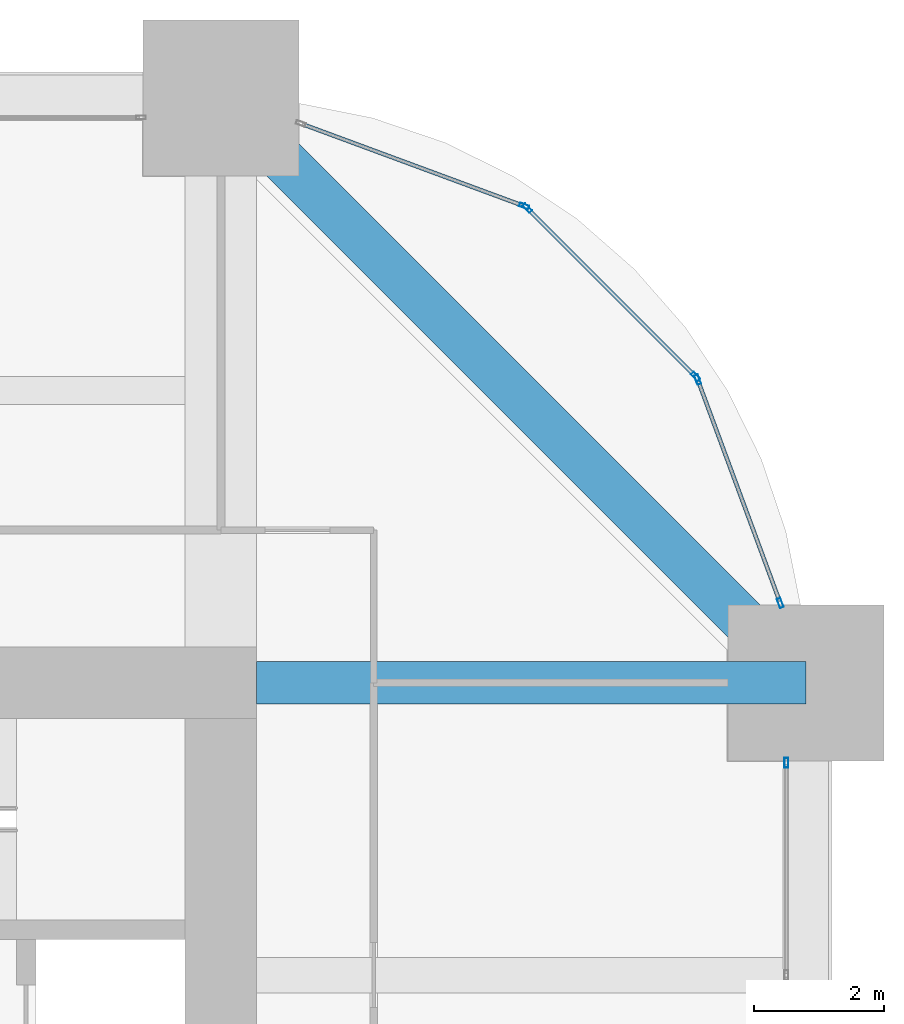
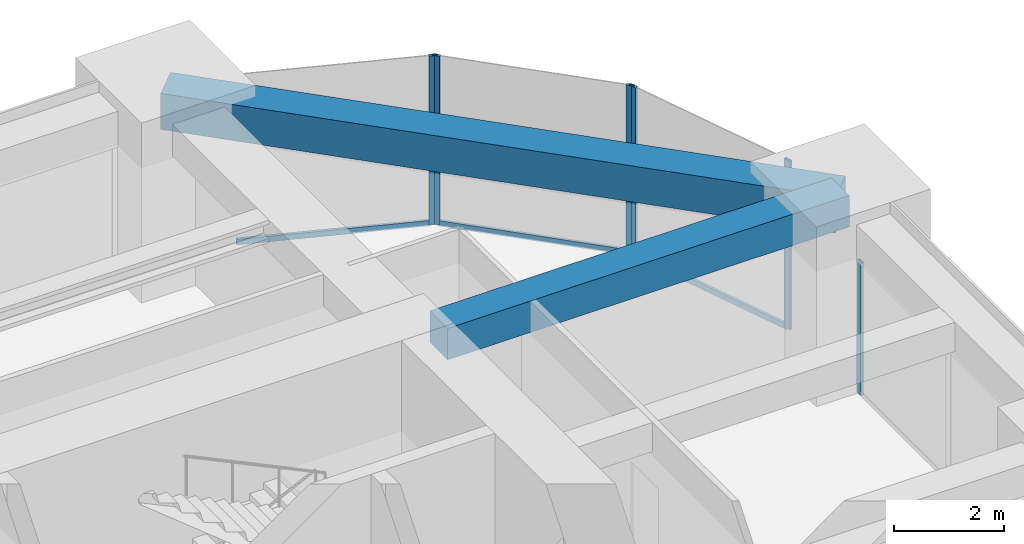
# One storey, part 27 of 32: 9 members, 2 beams, 4 elements without a shape of their own.
"""IFC4 building model written with IfcOpenShell, lengths in metres."""

from ifc_helpers import new_model, si_unit, direction, frame, origin, origin_2d, place, context, subcontext, project, spatial, rectangle, hollow_rectangle, extrude, material, material_profile, profile_set, type_object, element, aggregate, save


model = new_model("IFC4")

# Units and contexts
model_context = context("Model", 3, precision=1e-05, world=origin(), true_north=direction((0.0, 1.0)))
body_context = subcontext(model_context, "Body", "Model", "MODEL_VIEW")
ifc_project = project(units=[si_unit("LENGTHUNIT", "METRE"), si_unit("AREAUNIT", "SQUARE_METRE"), si_unit("VOLUMEUNIT", "CUBIC_METRE"), si_unit("PLANEANGLEUNIT", "RADIAN"), si_unit("MASSUNIT", "GRAM", prefix="KILO")], contexts=[model_context])

# Site, building, storey
site_placement = place(None, origin())
site = spatial("IfcSite", under=ifc_project, at=site_placement, CompositionType="ELEMENT")
building_placement = place(site_placement, origin())
building = spatial("IfcBuilding", under=site, at=building_placement, Name="Zorevar Civic Tower", CompositionType="ELEMENT")
storey_placement = place(building_placement, frame((0.0, 0.0, 186.199951171875)))
storey = spatial("IfcBuildingStorey", under=building, at=storey_placement, Name="L45", CompositionType="ELEMENT", Elevation=186.199951171875)

# Beam
ifc_material_1 = material(Name="Concrete C50/60", Category="concrete")
ifc_material_profile_1 = material_profile(ifc_material_1, rectangle(XDim=0.64990234375, YDim=0.699951171875, at=origin_2d()), Name="RC 650x700")
ifc_profile_set_1 = profile_set([ifc_material_profile_1], Name="Concrete C50/60")
beam_type_1 = type_object("IfcBeamType", Name="Beam RC 650x700", PredefinedType="BEAM", material=ifc_profile_set_1)
beam_1_placement = place(storey_placement, frame((45.550048828125, 36.0, 3.400146484375), z_axis=(1.0, 0.0, 0.0), x_axis=(0.0, 1.0, 0.0)))
element("IfcBeam", 1, at=beam_1_placement, inside=storey, type_object=beam_type_1, Name="Girder L46", PredefinedType="BEAM", context=body_context, shape_type="SweptSolid", body=[
    extrude(rectangle(XDim=0.64990234375, YDim=0.699951171875, at=origin_2d()), origin(), (0.0, 0.0, 1.0), 8.449951171875),
])

# Curtain wall, member
ifc_material_2 = material(Name="Dark grey solar-control glass in black aluminium frame", Category="aluminium")
curtain_wall_type = type_object("IfcCurtainWallType", Name="Curtain wall CW4 high zone", PredefinedType="NOTDEFINED", material=ifc_material_2)
curtain_wall_1_placement = place(storey_placement, origin())
curtain_wall_1 = element("IfcCurtainWall", 2, at=curtain_wall_1_placement, inside=storey, type_object=curtain_wall_type, Name="CW4 L45", PredefinedType="NOTDEFINED")
ifc_material_3 = material(Name="Aluminium, black anodised", Category="aluminium")
ifc_material_profile_2 = material_profile(ifc_material_3, hollow_rectangle(XDim=0.06005859375, YDim=0.14990234375, WallThickness=0.00390625, at=origin_2d()), Name="AL 150x60x4")
ifc_profile_set_2 = profile_set([ifc_material_profile_2], Name="Aluminium, black anodised")
member_type_1 = type_object("IfcMemberType", Name="CW4 mullion AL 150x60x4", PredefinedType="MULLION", material=ifc_profile_set_2)
member_1_placement = place(storey_placement, frame((53.699951171875, 34.77001953125, 0.0), z_axis=(0.0, 0.0, 1.0), x_axis=(-1.0, 0.0, 0.0)))
member_1 = element("IfcMember", 3, at=member_1_placement, type_object=member_type_1, Name="CW4 mullion 3", PredefinedType="MULLION", context=body_context, shape_type="SweptSolid", body=[
    extrude(hollow_rectangle(XDim=0.06005859375, YDim=0.14990234375, WallThickness=0.00390625, at=origin_2d()), origin(), (0.0, 0.0, 1.0), 2.949951171875),
])
aggregate(curtain_wall_1, [member_1])

# Curtain wall, members
curtain_wall_2_placement = place(storey_placement, origin())
curtain_wall_2 = element("IfcCurtainWall", 4, at=curtain_wall_2_placement, inside=storey, type_object=curtain_wall_type, Name="CW4 L45", PredefinedType="NOTDEFINED")
member_2_placement = place(storey_placement, frame((53.6064453125, 37.22802734375, 0.0), z_axis=(0.0, 0.0, 1.0), x_axis=(-0.937974588163, -0.346704012033, 0.0)))
member_2 = element("IfcMember", 5, at=member_2_placement, type_object=member_type_1, Name="CW4 mullion 1", PredefinedType="MULLION", context=body_context, shape_type="SweptSolid", body=[
    extrude(hollow_rectangle(XDim=0.06005859375, YDim=0.14990234375, WallThickness=0.00390625, at=origin_2d()), origin(), (0.0, 0.0, 1.0), 3.75),
])
member_3_placement = place(storey_placement, frame((52.336181640625, 40.66455078125, 0.0), z_axis=(0.0, 0.0, 1.0), x_axis=(-0.937974588163, -0.346704012033, 0.0)))
member_3 = element("IfcMember", 6, at=member_3_placement, type_object=member_type_1, Name="CW4 mullion 2", PredefinedType="MULLION", context=body_context, shape_type="SweptSolid", body=[
    extrude(hollow_rectangle(XDim=0.06005859375, YDim=0.14990234375, WallThickness=0.00390625, at=origin_2d()), origin(), (0.0, 0.0, 1.0), 3.75),
])

curtain_wall_3_placement = place(storey_placement, origin())
curtain_wall_3 = element("IfcCurtainWall", 7, at=curtain_wall_3_placement, inside=storey, type_object=curtain_wall_type, Name="CW4 L45", PredefinedType="NOTDEFINED")
member_4_placement = place(storey_placement, frame((52.3046875, 40.7138671875, 0.0), z_axis=(0.0, 0.0, 1.0), x_axis=(-0.707106781187, -0.707106781187, 0.0)))
member_4 = element("IfcMember", 8, at=member_4_placement, type_object=member_type_1, Name="CW4 mullion 1", PredefinedType="MULLION", context=body_context, shape_type="SweptSolid", body=[
    extrude(hollow_rectangle(XDim=0.06005859375, YDim=0.14990234375, WallThickness=0.00390625, at=origin_2d()), origin(), (0.0, 0.0, 1.0), 3.75),
])
member_5_placement = place(storey_placement, frame((49.7138671875, 43.3046875, 0.0), z_axis=(0.0, 0.0, 1.0), x_axis=(-0.707106781187, -0.707106781187, 0.0)))
member_5 = element("IfcMember", 9, at=member_5_placement, type_object=member_type_1, Name="CW4 mullion 2", PredefinedType="MULLION", context=body_context, shape_type="SweptSolid", body=[
    extrude(hollow_rectangle(XDim=0.06005859375, YDim=0.14990234375, WallThickness=0.00390625, at=origin_2d()), origin(), (0.0, 0.0, 1.0), 3.75),
])

# Curtain wall, member
curtain_wall_4_placement = place(storey_placement, origin())
curtain_wall_4 = element("IfcCurtainWall", 10, at=curtain_wall_4_placement, inside=storey, type_object=curtain_wall_type, Name="CW4 L45", PredefinedType="NOTDEFINED")
member_6_placement = place(storey_placement, frame((49.66455078125, 43.336181640625, 0.0), z_axis=(0.0, 0.0, 1.0), x_axis=(-0.346704012033, -0.937974588163, 0.0)))
member_6 = element("IfcMember", 11, at=member_6_placement, type_object=member_type_1, Name="CW4 mullion 1", PredefinedType="MULLION", context=body_context, shape_type="SweptSolid", body=[
    extrude(hollow_rectangle(XDim=0.06005859375, YDim=0.14990234375, WallThickness=0.00390625, at=origin_2d()), origin(), (0.0, 0.0, 1.0), 3.75),
])

# Member
ifc_material_4 = material(Name="Aluminium, black anodised", Category="aluminium")
ifc_material_profile_3 = material_profile(ifc_material_4, hollow_rectangle(XDim=0.06005859375, YDim=0.1201171875, WallThickness=0.0029296875, at=origin_2d()), Name="AL 120x60x3")
ifc_profile_set_3 = profile_set([ifc_material_profile_3], Name="Aluminium, black anodised")
member_type_2 = type_object("IfcMemberType", Name="CW4 transom AL 120x60x3", PredefinedType="USERDEFINED", material=ifc_profile_set_3)
member_7_placement = place(storey_placement, frame((53.595947265625, 37.25634765625, 0.030029296875), z_axis=(-0.346672169799, 0.93798635741, 0.0), x_axis=(-0.93798635741, -0.346672169799, 0.0)))
member_7 = element("IfcMember", 12, at=member_7_placement, type_object=member_type_2, Name="CW4 sill transom", ObjectType="TRANSOM", PredefinedType="USERDEFINED", context=body_context, shape_type="SweptSolid", body=[
    extrude(hollow_rectangle(XDim=0.06005859375, YDim=0.1201171875, WallThickness=0.0029296875, at=origin_2d()), origin(), (0.0, 0.0, 1.0), 3.603515625),
])

aggregate(curtain_wall_2, [member_2, member_3, member_7])

member_8_placement = place(storey_placement, frame((52.283447265625, 40.735107421875, 0.030029296875), z_axis=(-0.707106781187, 0.707106781187, 0.0), x_axis=(-0.707106781187, -0.707106781187, 0.0)))
member_8 = element("IfcMember", 13, at=member_8_placement, type_object=member_type_2, Name="CW4 sill transom", ObjectType="TRANSOM", PredefinedType="USERDEFINED", context=body_context, shape_type="SweptSolid", body=[
    extrude(hollow_rectangle(XDim=0.06005859375, YDim=0.1201171875, WallThickness=0.0029296875, at=origin_2d()), origin(), (0.0, 0.0, 1.0), 3.60400390625),
])

aggregate(curtain_wall_3, [member_4, member_5, member_8])

member_9_placement = place(storey_placement, frame((49.636474609375, 43.3466796875, 0.030029296875), z_axis=(-0.93798635741, 0.346672169799, 0.0), x_axis=(-0.346672169799, -0.93798635741, 0.0)))
member_9 = element("IfcMember", 14, at=member_9_placement, type_object=member_type_2, Name="CW4 sill transom", ObjectType="TRANSOM", PredefinedType="USERDEFINED", context=body_context, shape_type="SweptSolid", body=[
    extrude(hollow_rectangle(XDim=0.06005859375, YDim=0.1201171875, WallThickness=0.0029296875, at=origin_2d()), origin(), (0.0, 0.0, 1.0), 3.603515625),
])

aggregate(curtain_wall_4, [member_6, member_9])

# Beam
ifc_material_5 = material(Name="Concrete C50/60", Category="concrete")
ifc_material_profile_4 = material_profile(ifc_material_5, rectangle(XDim=0.699951171875, YDim=0.800048828125, at=origin_2d()), Name="RC 700x800")
ifc_profile_set_4 = profile_set([ifc_material_profile_4], Name="Concrete C50/60")
beam_type_2 = type_object("IfcBeamType", Name="Edge beam RC 700x800", PredefinedType="SPANDREL", material=ifc_profile_set_4)
beam_2_placement = place(storey_placement, frame((54.0, 36.0, 3.35009765625), z_axis=(-0.707106781187, 0.707106781187, 0.0), x_axis=(-0.707106781187, -0.707106781187, 0.0)))
element("IfcBeam", 15, at=beam_2_placement, inside=storey, type_object=beam_type_2, Name="Corner edge beam L46", PredefinedType="SPANDREL", context=body_context, shape_type="SweptSolid", body=[
    extrude(rectangle(XDim=0.699951171875, YDim=0.800048828125, at=origin_2d()), origin(), (0.0, 0.0, 1.0), 12.72802734375),
])

save(model, "model.ifc")
